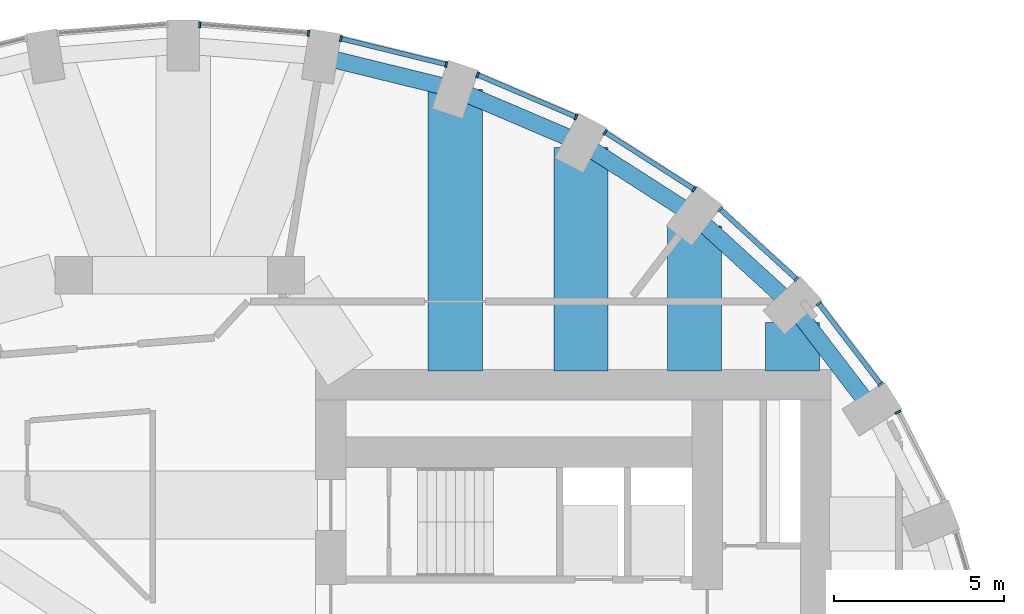
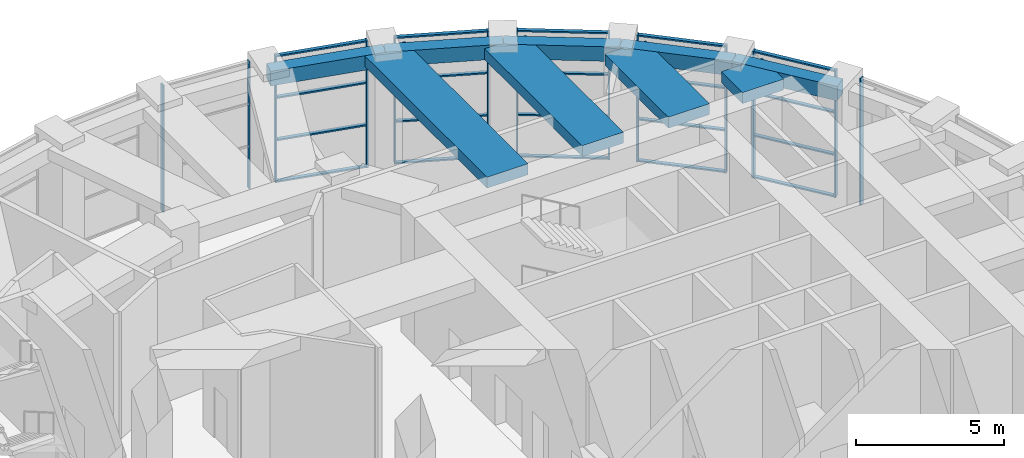
# One storey, part 8 of 17: 33 members, 9 beams, 7 elements without a shape of their own.
"""IFC4 building model written with IfcOpenShell, lengths in metres."""

from ifc_helpers import new_model, si_unit, direction, frame, origin, origin_2d, place, context, subcontext, project, spatial, rectangle, extrude, material, material_profile, profile_set, type_object, element, aggregate, save


model = new_model("IFC4")

# Units and contexts
model_context = context("Model", 3, precision=1e-05, world=origin(), true_north=direction((0.0, 1.0)))
body_context = subcontext(model_context, "Body", "Model", "MODEL_VIEW")
ifc_project = project(units=[si_unit("LENGTHUNIT", "METRE"), si_unit("AREAUNIT", "SQUARE_METRE"), si_unit("VOLUMEUNIT", "CUBIC_METRE"), si_unit("PLANEANGLEUNIT", "RADIAN"), si_unit("MASSUNIT", "GRAM", prefix="KILO")], contexts=[model_context])

# Site, building, storey
site_placement = place(None, origin())
site = spatial("IfcSite", under=ifc_project, at=site_placement, CompositionType="ELEMENT")
building_placement = place(site_placement, origin())
building = spatial("IfcBuilding", under=site, at=building_placement, Name="Taillehof Tower", CompositionType="ELEMENT")
storey_placement = place(building_placement, frame((0.0, 0.0, 139.60009765625)))
storey = spatial("IfcBuildingStorey", under=building, at=storey_placement, Name="L39", CompositionType="ELEMENT", Elevation=139.60009765625)

# Beams
ifc_material_1 = material(Name="Concrete C50/60", Category="concrete")
ifc_material_profile_1 = material_profile(ifc_material_1, rectangle(XDim=1.60009765625, YDim=0.449951171875, at=origin_2d()), Name="RC 1600x450")
ifc_profile_set_1 = profile_set([ifc_material_profile_1], Name="Concrete C50/60")
beam_type_1 = type_object("IfcBeamType", Name="Radial band beam C50/60 1600x450", PredefinedType="BEAM", material=ifc_profile_set_1)
beam_1_placement = place(storey_placement, frame((18.063720703125, 13.385498046875, 4.994873046875), z_axis=(0.0, -1.0, 0.0), x_axis=(1.0, 0.0, 0.0)))
element("IfcBeam", 1, at=beam_1_placement, inside=storey, type_object=beam_type_1, Name="Radial band beam RB05", PredefinedType="BEAM", context=body_context, shape_type="SweptSolid", body=[
    extrude(rectangle(XDim=1.60009765625, YDim=0.449951171875, at=origin_2d()), origin(), (0.0, 0.0, 1.0), 1.435546875),
])
beam_2_placement = place(storey_placement, frame((15.17333984375, 16.232666015625, 4.994873046875), z_axis=(0.0, -1.0, 0.0), x_axis=(1.0, 0.0, 0.0)))
element("IfcBeam", 2, at=beam_2_placement, inside=storey, type_object=beam_type_1, Name="Radial band beam RB06", PredefinedType="BEAM", context=body_context, shape_type="SweptSolid", body=[
    extrude(rectangle(XDim=1.60009765625, YDim=0.449951171875, at=origin_2d()), origin(), (0.0, 0.0, 1.0), 4.28271484375),
])
beam_3_placement = place(storey_placement, frame((11.824951171875, 18.536376953125, 4.994873046875), z_axis=(0.0, -1.0, 0.0), x_axis=(1.0, 0.0, 0.0)))
element("IfcBeam", 3, at=beam_3_placement, inside=storey, type_object=beam_type_1, Name="Radial band beam RB07", PredefinedType="BEAM", context=body_context, shape_type="SweptSolid", body=[
    extrude(rectangle(XDim=1.60009765625, YDim=0.449951171875, at=origin_2d()), origin(), (0.0, 0.0, 1.0), 6.58642578125),
])
beam_4_placement = place(storey_placement, frame((8.120361328125, 20.253662109375, 4.994873046875), z_axis=(0.0, -1.0, 0.0), x_axis=(1.0, 0.0, 0.0)))
element("IfcBeam", 4, at=beam_4_placement, inside=storey, type_object=beam_type_1, Name="Radial band beam RB08", PredefinedType="BEAM", context=body_context, shape_type="SweptSolid", body=[
    extrude(rectangle(XDim=1.60009765625, YDim=0.449951171875, at=origin_2d()), origin(), (0.0, 0.0, 1.0), 8.3037109375),
])

# Curtain wall, member
ifc_material_2 = material(Name="Aluminium curtain wall with Clear low-emissivity double glazing", Category="aluminium")
curtain_wall_type = type_object("IfcCurtainWallType", Name="Sky lobby curtain wall", PredefinedType="USERDEFINED", material=ifc_material_2)
curtain_wall_1_placement = place(storey_placement, origin())
curtain_wall_1 = element("IfcCurtainWall", 5, at=curtain_wall_1_placement, inside=storey, type_object=curtain_wall_type, Name="Sky lobby L39 bay 3", ObjectType="WINDOW WALL", PredefinedType="USERDEFINED")
ifc_material_3 = material(Name="Aluminium mullion", Category="aluminium")
ifc_material_profile_2 = material_profile(ifc_material_3, rectangle(XDim=0.179931640625, YDim=0.06005859375, at=origin_2d()), Name="AL 60x180")
ifc_profile_set_2 = profile_set([ifc_material_profile_2], Name="Aluminium mullion")
member_type_1 = type_object("IfcMemberType", Name="Sky lobby mullion 60x180", PredefinedType="MULLION", material=ifc_profile_set_2)
member_1_placement = place(storey_placement, frame((21.17919921875, 10.737060546875, 0.0), z_axis=(0.0, 0.0, 1.0), x_axis=(-0.890939920431, -0.454121193276, 0.0)))
member_1 = element("IfcMember", 6, at=member_1_placement, type_object=member_type_1, Name="CT3C03 mullion 2", PredefinedType="MULLION", context=body_context, shape_type="SweptSolid", body=[
    extrude(rectangle(XDim=0.179931640625, YDim=0.06005859375, at=origin_2d()), origin(), (0.0, 0.0, 1.0), 5.219970703125),
])
aggregate(curtain_wall_1, [member_1])

# Curtain wall, members
curtain_wall_2_placement = place(storey_placement, origin())
curtain_wall_2 = element("IfcCurtainWall", 7, at=curtain_wall_2_placement, inside=storey, type_object=curtain_wall_type, Name="Sky lobby L39 bay 4", ObjectType="WINDOW WALL", PredefinedType="USERDEFINED")
member_2_placement = place(storey_placement, frame((20.662109375, 11.5576171875, 0.0), z_axis=(0.0, 0.0, 1.0), x_axis=(-0.794097111323, -0.607790899725, 0.0)))
member_2 = element("IfcMember", 8, at=member_2_placement, type_object=member_type_1, Name="CT3C04 mullion 1", PredefinedType="MULLION", context=body_context, shape_type="SweptSolid", body=[
    extrude(rectangle(XDim=0.179931640625, YDim=0.06005859375, at=origin_2d()), origin(), (0.0, 0.0, 1.0), 5.219970703125),
])
member_3_placement = place(storey_placement, frame((18.8388671875, 13.939697265625, 0.0), z_axis=(0.0, 0.0, 1.0), x_axis=(-0.794097111323, -0.607790899725, 0.0)))
member_3 = element("IfcMember", 9, at=member_3_placement, type_object=member_type_1, Name="CT3C04 mullion 2", PredefinedType="MULLION", context=body_context, shape_type="SweptSolid", body=[
    extrude(rectangle(XDim=0.179931640625, YDim=0.06005859375, at=origin_2d()), origin(), (0.0, 0.0, 1.0), 5.219970703125),
])

curtain_wall_3_placement = place(storey_placement, origin())
curtain_wall_3 = element("IfcCurtainWall", 10, at=curtain_wall_3_placement, inside=storey, type_object=curtain_wall_type, Name="Sky lobby L39 bay 5", ObjectType="WINDOW WALL", PredefinedType="USERDEFINED")
member_4_placement = place(storey_placement, frame((18.183837890625, 14.65478515625, 0.0), z_axis=(0.0, 0.0, 1.0), x_axis=(-0.674990165311, -0.737826725413, 0.0)))
member_4 = element("IfcMember", 11, at=member_4_placement, type_object=member_type_1, Name="CT3C05 mullion 1", PredefinedType="MULLION", context=body_context, shape_type="SweptSolid", body=[
    extrude(rectangle(XDim=0.179931640625, YDim=0.06005859375, at=origin_2d()), origin(), (0.0, 0.0, 1.0), 5.219970703125),
])
member_5_placement = place(storey_placement, frame((15.9287109375, 16.718017578125, 0.0), z_axis=(0.0, 0.0, 1.0), x_axis=(-0.674990165311, -0.737826725413, 0.0)))
member_5 = element("IfcMember", 12, at=member_5_placement, type_object=member_type_1, Name="CT3C05 mullion 2", PredefinedType="MULLION", context=body_context, shape_type="SweptSolid", body=[
    extrude(rectangle(XDim=0.179931640625, YDim=0.06005859375, at=origin_2d()), origin(), (0.0, 0.0, 1.0), 5.219970703125),
])

curtain_wall_4_placement = place(storey_placement, origin())
curtain_wall_4 = element("IfcCurtainWall", 13, at=curtain_wall_4_placement, inside=storey, type_object=curtain_wall_type, Name="Sky lobby L39 bay 6", ObjectType="WINDOW WALL", PredefinedType="USERDEFINED")
member_6_placement = place(storey_placement, frame((15.15966796875, 17.30908203125, 0.0), z_axis=(0.0, 0.0, 1.0), x_axis=(-0.539394467052, -0.842053210263, 0.0)))
member_6 = element("IfcMember", 14, at=member_6_placement, type_object=member_type_1, Name="CT3C06 mullion 1", PredefinedType="MULLION", context=body_context, shape_type="SweptSolid", body=[
    extrude(rectangle(XDim=0.179931640625, YDim=0.06005859375, at=origin_2d()), origin(), (0.0, 0.0, 1.0), 5.219970703125),
])
member_7_placement = place(storey_placement, frame((12.538818359375, 18.98779296875, 0.0), z_axis=(0.0, 0.0, 1.0), x_axis=(-0.539394467052, -0.842053210263, 0.0)))
member_7 = element("IfcMember", 15, at=member_7_placement, type_object=member_type_1, Name="CT3C06 mullion 2", PredefinedType="MULLION", context=body_context, shape_type="SweptSolid", body=[
    extrude(rectangle(XDim=0.179931640625, YDim=0.06005859375, at=origin_2d()), origin(), (0.0, 0.0, 1.0), 5.219970703125),
])

curtain_wall_5_placement = place(storey_placement, origin())
curtain_wall_5 = element("IfcCurtainWall", 16, at=curtain_wall_5_placement, inside=storey, type_object=curtain_wall_type, Name="Sky lobby L39 bay 7", ObjectType="WINDOW WALL", PredefinedType="USERDEFINED")
member_8_placement = place(storey_placement, frame((11.681396484375, 19.44140625, 0.0), z_axis=(0.0, 0.0, 1.0), x_axis=(-0.392378786783, -0.919803722368, 0.0)))
member_8 = element("IfcMember", 17, at=member_8_placement, type_object=member_type_1, Name="CT3C07 mullion 1", PredefinedType="MULLION", context=body_context, shape_type="SweptSolid", body=[
    extrude(rectangle(XDim=0.179931640625, YDim=0.06005859375, at=origin_2d()), origin(), (0.0, 0.0, 1.0), 5.219970703125),
])
member_9_placement = place(storey_placement, frame((8.773681640625, 20.681640625, 0.0), z_axis=(0.0, 0.0, 1.0), x_axis=(-0.392378786783, -0.919803722368, 0.0)))
member_9 = element("IfcMember", 18, at=member_9_placement, type_object=member_type_1, Name="CT3C07 mullion 2", PredefinedType="MULLION", context=body_context, shape_type="SweptSolid", body=[
    extrude(rectangle(XDim=0.179931640625, YDim=0.06005859375, at=origin_2d()), origin(), (0.0, 0.0, 1.0), 5.219970703125),
])

curtain_wall_6_placement = place(storey_placement, origin())
curtain_wall_6 = element("IfcCurtainWall", 19, at=curtain_wall_6_placement, inside=storey, type_object=curtain_wall_type, Name="Sky lobby L39 bay 8", ObjectType="WINDOW WALL", PredefinedType="USERDEFINED")
member_10_placement = place(storey_placement, frame((7.853515625, 20.988525390625, 0.0), z_axis=(0.0, 0.0, 1.0), x_axis=(-0.238077279402, -0.971246214424, 0.0)))
member_10 = element("IfcMember", 20, at=member_10_placement, type_object=member_type_1, Name="CT3C08 mullion 1", PredefinedType="MULLION", context=body_context, shape_type="SweptSolid", body=[
    extrude(rectangle(XDim=0.179931640625, YDim=0.06005859375, at=origin_2d()), origin(), (0.0, 0.0, 1.0), 5.219970703125),
])
member_11_placement = place(storey_placement, frame((4.748291015625, 21.749755859375, 0.0), z_axis=(0.0, 0.0, 1.0), x_axis=(-0.238077279402, -0.971246214424, 0.0)))
member_11 = element("IfcMember", 21, at=member_11_placement, type_object=member_type_1, Name="CT3C08 mullion 2", PredefinedType="MULLION", context=body_context, shape_type="SweptSolid", body=[
    extrude(rectangle(XDim=0.179931640625, YDim=0.06005859375, at=origin_2d()), origin(), (0.0, 0.0, 1.0), 5.219970703125),
])

curtain_wall_7_placement = place(storey_placement, origin())
curtain_wall_7 = element("IfcCurtainWall", 22, at=curtain_wall_7_placement, inside=storey, type_object=curtain_wall_type, Name="Sky lobby L39 bay 9", ObjectType="WINDOW WALL", PredefinedType="USERDEFINED")
member_12_placement = place(storey_placement, frame((3.790771484375, 21.904296875, 0.0), z_axis=(0.0, 0.0, 1.0), x_axis=(-0.079781193509, -0.996812400185, 0.0)))
member_12 = element("IfcMember", 23, at=member_12_placement, type_object=member_type_1, Name="CT3C09 mullion 1", PredefinedType="MULLION", context=body_context, shape_type="SweptSolid", body=[
    extrude(rectangle(XDim=0.179931640625, YDim=0.06005859375, at=origin_2d()), origin(), (0.0, 0.0, 1.0), 5.219970703125),
])
member_13_placement = place(storey_placement, frame((0.5849609375, 22.160888671875, 0.0), z_axis=(0.0, 0.0, 1.0), x_axis=(-0.079781193509, -0.996812400185, 0.0)))
member_13 = element("IfcMember", 24, at=member_13_placement, type_object=member_type_1, Name="CT3C09 mullion 2", PredefinedType="MULLION", context=body_context, shape_type="SweptSolid", body=[
    extrude(rectangle(XDim=0.179931640625, YDim=0.06005859375, at=origin_2d()), origin(), (0.0, 0.0, 1.0), 5.219970703125),
])
aggregate(curtain_wall_7, [member_12, member_13])

# Member
ifc_material_4 = material(Name="Aluminium transom", Category="aluminium")
ifc_material_profile_3 = material_profile(ifc_material_4, rectangle(XDim=0.139892578125, YDim=0.06005859375, at=origin_2d()), Name="AL 140x60")
ifc_profile_set_3 = profile_set([ifc_material_profile_3], Name="Aluminium transom")
member_type_2 = type_object("IfcMemberType", Name="Sky lobby transom 140x60", PredefinedType="USERDEFINED", material=ifc_profile_set_3)
member_14_placement = place(storey_placement, frame((20.643798828125, 11.58154296875, 0.02978515625), z_axis=(-0.607798409767, 0.794091363185, 0.0), x_axis=(-0.794091363185, -0.607798409767, 0.0)))
member_14 = element("IfcMember", 25, at=member_14_placement, type_object=member_type_2, Name="CT3C04 transom 1.1", ObjectType="TRANSOM", PredefinedType="USERDEFINED", context=body_context, shape_type="SweptSolid", body=[
    extrude(rectangle(XDim=0.139892578125, YDim=0.06005859375, at=origin_2d()), origin(), (0.0, 0.0, 1.0), 2.939453125),
])

member_15_placement = place(storey_placement, frame((20.643798828125, 11.58154296875, 1.739990234375), z_axis=(-0.607798409767, 0.794091363185, 0.0), x_axis=(-0.794091363185, -0.607798409767, 0.0)))
member_15 = element("IfcMember", 26, at=member_15_placement, type_object=member_type_2, Name="CT3C04 transom 1.2", ObjectType="TRANSOM", PredefinedType="USERDEFINED", context=body_context, shape_type="SweptSolid", body=[
    extrude(rectangle(XDim=0.139892578125, YDim=0.06005859375, at=origin_2d()), origin(), (0.0, 0.0, 1.0), 2.939453125),
])

member_16_placement = place(storey_placement, frame((20.643798828125, 11.58154296875, 3.47998046875), z_axis=(-0.607798409767, 0.794091363185, 0.0), x_axis=(-0.794091363185, -0.607798409767, 0.0)))
member_16 = element("IfcMember", 27, at=member_16_placement, type_object=member_type_2, Name="CT3C04 transom 1.3", ObjectType="TRANSOM", PredefinedType="USERDEFINED", context=body_context, shape_type="SweptSolid", body=[
    extrude(rectangle(XDim=0.139892578125, YDim=0.06005859375, at=origin_2d()), origin(), (0.0, 0.0, 1.0), 2.939453125),
])

member_17_placement = place(storey_placement, frame((20.643798828125, 11.58154296875, 5.18994140625), z_axis=(-0.607798409767, 0.794091363185, 0.0), x_axis=(-0.794091363185, -0.607798409767, 0.0)))
member_17 = element("IfcMember", 28, at=member_17_placement, type_object=member_type_2, Name="CT3C04 transom 1.4", ObjectType="TRANSOM", PredefinedType="USERDEFINED", context=body_context, shape_type="SweptSolid", body=[
    extrude(rectangle(XDim=0.139892578125, YDim=0.06005859375, at=origin_2d()), origin(), (0.0, 0.0, 1.0), 2.939453125),
])

aggregate(curtain_wall_2, [member_2, member_3, member_14, member_15, member_16, member_17])

member_18_placement = place(storey_placement, frame((18.16162109375, 14.675048828125, 0.02978515625), z_axis=(-0.737779510532, 0.675041771922, 0.0), x_axis=(-0.675041771922, -0.737779510532, 0.0)))
member_18 = element("IfcMember", 29, at=member_18_placement, type_object=member_type_2, Name="CT3C05 transom 1.1", ObjectType="TRANSOM", PredefinedType="USERDEFINED", context=body_context, shape_type="SweptSolid", body=[
    extrude(rectangle(XDim=0.139892578125, YDim=0.06005859375, at=origin_2d()), origin(), (0.0, 0.0, 1.0), 2.996337890625),
])

member_19_placement = place(storey_placement, frame((18.16162109375, 14.675048828125, 1.739990234375), z_axis=(-0.737779510532, 0.675041771922, 0.0), x_axis=(-0.675041771922, -0.737779510532, 0.0)))
member_19 = element("IfcMember", 30, at=member_19_placement, type_object=member_type_2, Name="CT3C05 transom 1.2", ObjectType="TRANSOM", PredefinedType="USERDEFINED", context=body_context, shape_type="SweptSolid", body=[
    extrude(rectangle(XDim=0.139892578125, YDim=0.06005859375, at=origin_2d()), origin(), (0.0, 0.0, 1.0), 2.996337890625),
])

member_20_placement = place(storey_placement, frame((18.16162109375, 14.675048828125, 3.47998046875), z_axis=(-0.737779510532, 0.675041771922, 0.0), x_axis=(-0.675041771922, -0.737779510532, 0.0)))
member_20 = element("IfcMember", 31, at=member_20_placement, type_object=member_type_2, Name="CT3C05 transom 1.3", ObjectType="TRANSOM", PredefinedType="USERDEFINED", context=body_context, shape_type="SweptSolid", body=[
    extrude(rectangle(XDim=0.139892578125, YDim=0.06005859375, at=origin_2d()), origin(), (0.0, 0.0, 1.0), 2.996337890625),
])

member_21_placement = place(storey_placement, frame((18.16162109375, 14.675048828125, 5.18994140625), z_axis=(-0.737779510532, 0.675041771922, 0.0), x_axis=(-0.675041771922, -0.737779510532, 0.0)))
member_21 = element("IfcMember", 32, at=member_21_placement, type_object=member_type_2, Name="CT3C05 transom 1.4", ObjectType="TRANSOM", PredefinedType="USERDEFINED", context=body_context, shape_type="SweptSolid", body=[
    extrude(rectangle(XDim=0.139892578125, YDim=0.06005859375, at=origin_2d()), origin(), (0.0, 0.0, 1.0), 2.996337890625),
])

aggregate(curtain_wall_3, [member_4, member_5, member_18, member_19, member_20, member_21])

member_22_placement = place(storey_placement, frame((15.134521484375, 17.3251953125, 0.02978515625), z_axis=(-0.842050539734, 0.539398636015, 0.0), x_axis=(-0.539398636015, -0.842050539734, 0.0)))
member_22 = element("IfcMember", 33, at=member_22_placement, type_object=member_type_2, Name="CT3C06 transom 1.1", ObjectType="TRANSOM", PredefinedType="USERDEFINED", context=body_context, shape_type="SweptSolid", body=[
    extrude(rectangle(XDim=0.139892578125, YDim=0.06005859375, at=origin_2d()), origin(), (0.0, 0.0, 1.0), 3.052490234375),
])

member_23_placement = place(storey_placement, frame((15.134521484375, 17.3251953125, 1.739990234375), z_axis=(-0.842050539734, 0.539398636015, 0.0), x_axis=(-0.539398636015, -0.842050539734, 0.0)))
member_23 = element("IfcMember", 34, at=member_23_placement, type_object=member_type_2, Name="CT3C06 transom 1.2", ObjectType="TRANSOM", PredefinedType="USERDEFINED", context=body_context, shape_type="SweptSolid", body=[
    extrude(rectangle(XDim=0.139892578125, YDim=0.06005859375, at=origin_2d()), origin(), (0.0, 0.0, 1.0), 3.052490234375),
])

member_24_placement = place(storey_placement, frame((15.134521484375, 17.3251953125, 3.47998046875), z_axis=(-0.842050539734, 0.539398636015, 0.0), x_axis=(-0.539398636015, -0.842050539734, 0.0)))
member_24 = element("IfcMember", 35, at=member_24_placement, type_object=member_type_2, Name="CT3C06 transom 1.3", ObjectType="TRANSOM", PredefinedType="USERDEFINED", context=body_context, shape_type="SweptSolid", body=[
    extrude(rectangle(XDim=0.139892578125, YDim=0.06005859375, at=origin_2d()), origin(), (0.0, 0.0, 1.0), 3.052490234375),
])

member_25_placement = place(storey_placement, frame((15.134521484375, 17.3251953125, 5.18994140625), z_axis=(-0.842050539734, 0.539398636015, 0.0), x_axis=(-0.539398636015, -0.842050539734, 0.0)))
member_25 = element("IfcMember", 36, at=member_25_placement, type_object=member_type_2, Name="CT3C06 transom 1.4", ObjectType="TRANSOM", PredefinedType="USERDEFINED", context=body_context, shape_type="SweptSolid", body=[
    extrude(rectangle(XDim=0.139892578125, YDim=0.06005859375, at=origin_2d()), origin(), (0.0, 0.0, 1.0), 3.052490234375),
])

aggregate(curtain_wall_4, [member_6, member_7, member_22, member_23, member_24, member_25])

member_26_placement = place(storey_placement, frame((11.65380859375, 19.453125, 0.02978515625), z_axis=(-0.919811506144, 0.392360539766, 0.0), x_axis=(-0.392360539766, -0.919811506144, 0.0)))
member_26 = element("IfcMember", 37, at=member_26_placement, type_object=member_type_2, Name="CT3C07 transom 1.1", ObjectType="TRANSOM", PredefinedType="USERDEFINED", context=body_context, shape_type="SweptSolid", body=[
    extrude(rectangle(XDim=0.139892578125, YDim=0.06005859375, at=origin_2d()), origin(), (0.0, 0.0, 1.0), 3.101318359375),
])

member_27_placement = place(storey_placement, frame((11.65380859375, 19.453125, 1.739990234375), z_axis=(-0.919811506144, 0.392360539766, 0.0), x_axis=(-0.392360539766, -0.919811506144, 0.0)))
member_27 = element("IfcMember", 38, at=member_27_placement, type_object=member_type_2, Name="CT3C07 transom 1.2", ObjectType="TRANSOM", PredefinedType="USERDEFINED", context=body_context, shape_type="SweptSolid", body=[
    extrude(rectangle(XDim=0.139892578125, YDim=0.06005859375, at=origin_2d()), origin(), (0.0, 0.0, 1.0), 3.101318359375),
])

member_28_placement = place(storey_placement, frame((11.65380859375, 19.453125, 3.47998046875), z_axis=(-0.919811506144, 0.392360539766, 0.0), x_axis=(-0.392360539766, -0.919811506144, 0.0)))
member_28 = element("IfcMember", 39, at=member_28_placement, type_object=member_type_2, Name="CT3C07 transom 1.3", ObjectType="TRANSOM", PredefinedType="USERDEFINED", context=body_context, shape_type="SweptSolid", body=[
    extrude(rectangle(XDim=0.139892578125, YDim=0.06005859375, at=origin_2d()), origin(), (0.0, 0.0, 1.0), 3.101318359375),
])

member_29_placement = place(storey_placement, frame((11.65380859375, 19.453125, 5.18994140625), z_axis=(-0.919811506144, 0.392360539766, 0.0), x_axis=(-0.392360539766, -0.919811506144, 0.0)))
member_29 = element("IfcMember", 40, at=member_29_placement, type_object=member_type_2, Name="CT3C07 transom 1.4", ObjectType="TRANSOM", PredefinedType="USERDEFINED", context=body_context, shape_type="SweptSolid", body=[
    extrude(rectangle(XDim=0.139892578125, YDim=0.06005859375, at=origin_2d()), origin(), (0.0, 0.0, 1.0), 3.101318359375),
])

aggregate(curtain_wall_5, [member_8, member_9, member_26, member_27, member_28, member_29])

member_30_placement = place(storey_placement, frame((7.824462890625, 20.99560546875, 0.02978515625), z_axis=(-0.97125363125, 0.23804702011, 0.0), x_axis=(-0.23804702011, -0.97125363125, 0.0)))
member_30 = element("IfcMember", 41, at=member_30_placement, type_object=member_type_2, Name="CT3C08 transom 1.1", ObjectType="TRANSOM", PredefinedType="USERDEFINED", context=body_context, shape_type="SweptSolid", body=[
    extrude(rectangle(XDim=0.139892578125, YDim=0.06005859375, at=origin_2d()), origin(), (0.0, 0.0, 1.0), 3.13720703125),
])

member_31_placement = place(storey_placement, frame((7.824462890625, 20.99560546875, 1.739990234375), z_axis=(-0.97125363125, 0.23804702011, 0.0), x_axis=(-0.23804702011, -0.97125363125, 0.0)))
member_31 = element("IfcMember", 42, at=member_31_placement, type_object=member_type_2, Name="CT3C08 transom 1.2", ObjectType="TRANSOM", PredefinedType="USERDEFINED", context=body_context, shape_type="SweptSolid", body=[
    extrude(rectangle(XDim=0.139892578125, YDim=0.06005859375, at=origin_2d()), origin(), (0.0, 0.0, 1.0), 3.13720703125),
])

member_32_placement = place(storey_placement, frame((7.824462890625, 20.99560546875, 3.47998046875), z_axis=(-0.97125363125, 0.23804702011, 0.0), x_axis=(-0.23804702011, -0.97125363125, 0.0)))
member_32 = element("IfcMember", 43, at=member_32_placement, type_object=member_type_2, Name="CT3C08 transom 1.3", ObjectType="TRANSOM", PredefinedType="USERDEFINED", context=body_context, shape_type="SweptSolid", body=[
    extrude(rectangle(XDim=0.139892578125, YDim=0.06005859375, at=origin_2d()), origin(), (0.0, 0.0, 1.0), 3.13720703125),
])

member_33_placement = place(storey_placement, frame((7.824462890625, 20.99560546875, 5.18994140625), z_axis=(-0.97125363125, 0.23804702011, 0.0), x_axis=(-0.23804702011, -0.97125363125, 0.0)))
member_33 = element("IfcMember", 44, at=member_33_placement, type_object=member_type_2, Name="CT3C08 transom 1.4", ObjectType="TRANSOM", PredefinedType="USERDEFINED", context=body_context, shape_type="SweptSolid", body=[
    extrude(rectangle(XDim=0.139892578125, YDim=0.06005859375, at=origin_2d()), origin(), (0.0, 0.0, 1.0), 3.13720703125),
])

aggregate(curtain_wall_6, [member_10, member_11, member_30, member_31, member_32, member_33])

# Beams
ifc_material_5 = material(Name="Concrete C50/60", Category="concrete")
ifc_material_profile_4 = material_profile(ifc_material_5, rectangle(XDim=0.5, YDim=0.60009765625, at=origin_2d()), Name="RC 500x600")
ifc_profile_set_4 = profile_set([ifc_material_profile_4], Name="Concrete C50/60")
beam_type_2 = type_object("IfcBeamType", Name="Spandrel beam C50/60 500x600", PredefinedType="SPANDREL", material=ifc_profile_set_4)
beam_5_placement = place(storey_placement, frame((20.408203125, 10.824951171875, 4.919921875), z_axis=(-0.60784004271, 0.794059495553, 0.0), x_axis=(-0.794059495553, -0.60784004271, 0.0)))
element("IfcBeam", 45, at=beam_5_placement, inside=storey, type_object=beam_type_2, Name="Spandrel beam SB04", PredefinedType="SPANDREL", context=body_context, shape_type="SweptSolid", body=[
    extrude(rectangle(XDim=0.5, YDim=0.60009765625, at=origin_2d()), origin(), (0.0, 0.0, 1.0), 3.857177734375),
])
beam_6_placement = place(storey_placement, frame((18.063720703125, 13.8876953125, 4.919921875), z_axis=(-0.737849657471, 0.674965097594, 0.0), x_axis=(-0.674965097594, -0.737849657471, 0.0)))
element("IfcBeam", 46, at=beam_6_placement, inside=storey, type_object=beam_type_2, Name="Spandrel beam SB05", PredefinedType="SPANDREL", context=body_context, shape_type="SweptSolid", body=[
    extrude(rectangle(XDim=0.5, YDim=0.60009765625, at=origin_2d()), origin(), (0.0, 0.0, 1.0), 3.917236328125),
])
beam_7_placement = place(storey_placement, frame((15.17333984375, 16.53173828125, 4.919921875), z_axis=(-0.842092940799, 0.53933243835, 0.0), x_axis=(-0.53933243835, -0.842092940799, 0.0)))
element("IfcBeam", 47, at=beam_7_placement, inside=storey, type_object=beam_type_2, Name="Spandrel beam SB06", PredefinedType="SPANDREL", context=body_context, shape_type="SweptSolid", body=[
    extrude(rectangle(XDim=0.5, YDim=0.60009765625, at=origin_2d()), origin(), (0.0, 0.0, 1.0), 3.976318359375),
])
beam_8_placement = place(storey_placement, frame((11.824951171875, 18.67626953125, 4.919921875), z_axis=(-0.919827173659, 0.392323808351, 0.0), x_axis=(-0.392323808351, -0.919827173659, 0.0)))
element("IfcBeam", 48, at=beam_8_placement, inside=storey, type_object=beam_type_2, Name="Spandrel beam SB07", PredefinedType="SPANDREL", context=body_context, shape_type="SweptSolid", body=[
    extrude(rectangle(XDim=0.5, YDim=0.60009765625, at=origin_2d()), origin(), (0.0, 0.0, 1.0), 4.027587890625),
])
beam_9_placement = place(storey_placement, frame((8.120361328125, 20.25634765625, 4.919921875), z_axis=(-0.971248584585, 0.238067610023, 0.0), x_axis=(-0.238067610023, -0.971248584585, 0.0)))
element("IfcBeam", 49, at=beam_9_placement, inside=storey, type_object=beam_type_2, Name="Spandrel beam SB08", PredefinedType="SPANDREL", context=body_context, shape_type="SweptSolid", body=[
    extrude(rectangle(XDim=0.5, YDim=0.60009765625, at=origin_2d()), origin(), (0.0, 0.0, 1.0), 4.065185546875),
])

save(model, "model.ifc")
